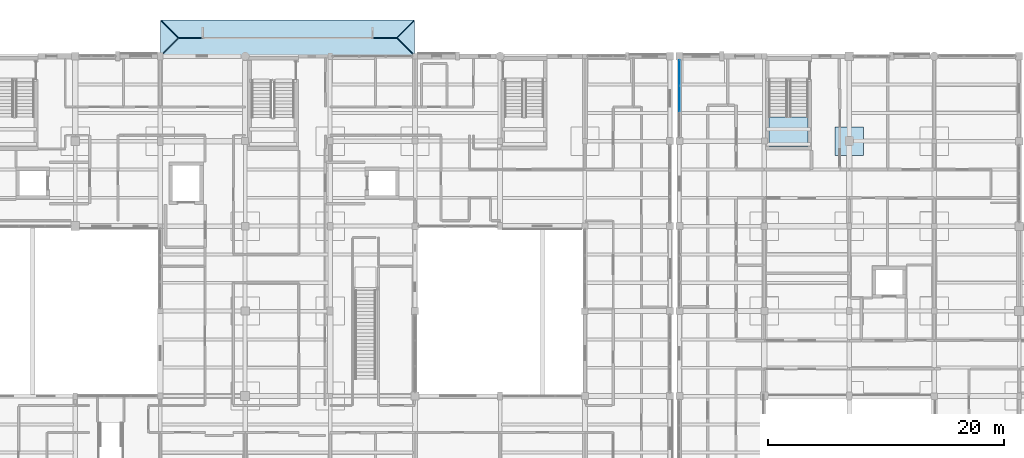
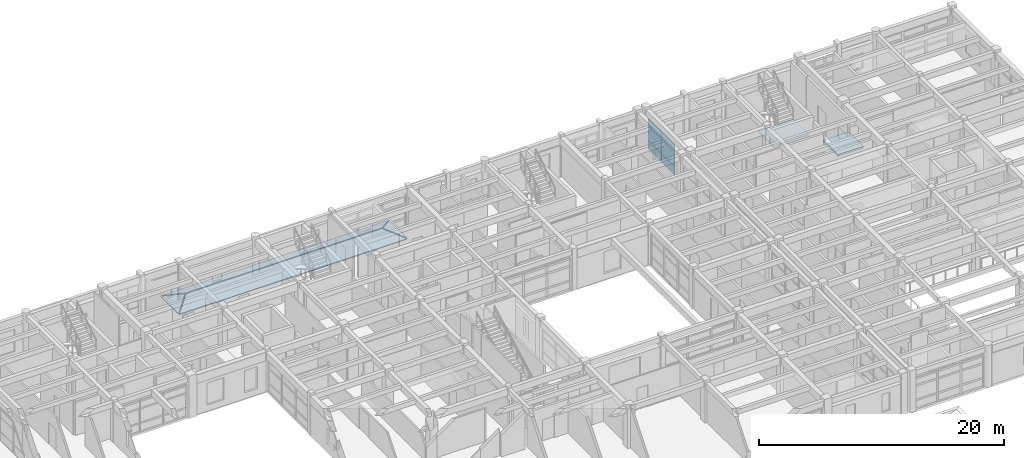
# One storey, part 68 of 110: 6 plates, 6 slabs, 3 elements without a shape of their own.
"""IFC4 building model written with IfcOpenShell, lengths in metres."""

from ifc_helpers import new_model, si_unit, direction, frame, origin, origin_2d, place, context, subcontext, project, spatial, polyline, rectangle, outline, extrude, material, layer, layer_set, type_object, element, aggregate, save


model = new_model("IFC4")

# Units and contexts
model_context = context("Model", 3, precision=1e-05, world=origin(), true_north=direction((0.0, 1.0)))
body_context = subcontext(model_context, "Body", "Model", "MODEL_VIEW")
ifc_project = project(units=[si_unit("LENGTHUNIT", "METRE"), si_unit("AREAUNIT", "SQUARE_METRE"), si_unit("VOLUMEUNIT", "CUBIC_METRE"), si_unit("PLANEANGLEUNIT", "RADIAN"), si_unit("MASSUNIT", "GRAM", prefix="KILO")], contexts=[model_context])

# Site, building, storey
site_placement = place(None, origin())
site = spatial("IfcSite", under=ifc_project, at=site_placement, CompositionType="ELEMENT")
building_placement = place(site_placement, origin())
building = spatial("IfcBuilding", under=site, at=building_placement, Name="Steenspoor Specialist Clinic", CompositionType="ELEMENT")
storey_placement = place(building_placement, frame((0.0, 0.0, 4.800048828125)))
storey = spatial("IfcBuildingStorey", under=building, at=storey_placement, Name="L01", CompositionType="ELEMENT", Elevation=4.800048828125)

# Curtain wall, plates
ifc_material_1 = material(Name="Thermally broken aluminium and low-emissivity glass", Category="aluminium")
curtain_wall_type = type_object("IfcCurtainWallType", Name="CW-TYP-650X355", PredefinedType="USERDEFINED", material=ifc_material_1)
curtain_wall_placement = place(storey_placement, origin())
curtain_wall = element("IfcCurtainWall", 1, at=curtain_wall_placement, inside=storey, type_object=curtain_wall_type, Name="Unitised Curtain Wall CW-V6-L01-178", ObjectType="UNITISED GLAZING", PredefinedType="USERDEFINED")
ifc_material_2 = material(Name="Triple acoustic laminated low-emissivity glass", Category="glass")
ifc_layer_1 = layer(ifc_material_2, 0.048095703125)
ifc_layer_set_1 = layer_set([ifc_layer_1], Name="Triple acoustic laminated low-emissivity glass")
plate_type = type_object("IfcPlateType", Name="CW-PAN-GL48", PredefinedType="CURTAIN_PANEL", material=ifc_layer_set_1)
plate_1_placement = place(storey_placement, frame((118.0, 104.75, 0.059814453125), z_axis=(0.0, 0.0, 1.0), x_axis=(0.0, 1.0, 0.0)))
plate_1 = element("IfcPlate", 2, at=plate_1_placement, type_object=plate_type, Name="CW-10 panel 2.1", PredefinedType="CURTAIN_PANEL", context=body_context, shape_type="SweptSolid", body=[
    extrude(rectangle(XDim=2.139892578125, YDim=0.048095703125, at=origin_2d()), origin(), (0.0, 0.0, 1.0), 0.81005859375),
])
plate_2_placement = place(storey_placement, frame((118.0, 104.75, 0.93017578125), z_axis=(0.0, 0.0, 1.0), x_axis=(0.0, 1.0, 0.0)))
plate_2 = element("IfcPlate", 3, at=plate_2_placement, type_object=plate_type, Name="CW-10 panel 2.2", PredefinedType="CURTAIN_PANEL", context=body_context, shape_type="SweptSolid", body=[
    extrude(rectangle(XDim=2.139892578125, YDim=0.048095703125, at=origin_2d()), origin(), (0.0, 0.0, 1.0), 1.389892578125),
])
plate_3_placement = place(storey_placement, frame((118.0, 104.75, 2.3798828125), z_axis=(0.0, 0.0, 1.0), x_axis=(0.0, 1.0, 0.0)))
plate_3 = element("IfcPlate", 4, at=plate_3_placement, type_object=plate_type, Name="CW-10 panel 2.3", PredefinedType="CURTAIN_PANEL", context=body_context, shape_type="SweptSolid", body=[
    extrude(rectangle(XDim=2.139892578125, YDim=0.048095703125, at=origin_2d()), origin(), (0.0, 0.0, 1.0), 0.68994140625),
])
plate_4_placement = place(storey_placement, frame((118.0, 106.93505859375, 0.059814453125), z_axis=(0.0, 0.0, 1.0), x_axis=(0.0, 1.0, 0.0)))
plate_4 = element("IfcPlate", 5, at=plate_4_placement, type_object=plate_type, Name="CW-10 panel 3.1", PredefinedType="CURTAIN_PANEL", context=body_context, shape_type="SweptSolid", body=[
    extrude(rectangle(XDim=2.110107421875, YDim=0.048095703125, at=origin_2d()), origin(), (0.0, 0.0, 1.0), 0.81005859375),
])
plate_5_placement = place(storey_placement, frame((118.0, 106.93505859375, 0.93017578125), z_axis=(0.0, 0.0, 1.0), x_axis=(0.0, 1.0, 0.0)))
plate_5 = element("IfcPlate", 6, at=plate_5_placement, type_object=plate_type, Name="CW-10 panel 3.2", PredefinedType="CURTAIN_PANEL", context=body_context, shape_type="SweptSolid", body=[
    extrude(rectangle(XDim=2.110107421875, YDim=0.048095703125, at=origin_2d()), origin(), (0.0, 0.0, 1.0), 1.389892578125),
])
plate_6_placement = place(storey_placement, frame((118.0, 106.93505859375, 2.3798828125), z_axis=(0.0, 0.0, 1.0), x_axis=(0.0, 1.0, 0.0)))
plate_6 = element("IfcPlate", 7, at=plate_6_placement, type_object=plate_type, Name="CW-10 panel 3.3", PredefinedType="CURTAIN_PANEL", context=body_context, shape_type="SweptSolid", body=[
    extrude(rectangle(XDim=2.110107421875, YDim=0.048095703125, at=origin_2d()), origin(), (0.0, 0.0, 1.0), 0.68994140625),
])
aggregate(curtain_wall, [plate_1, plate_2, plate_3, plate_4, plate_5, plate_6])

# Slab
ifc_material_3 = material(Name="Concrete C35/45", Category="concrete")
ifc_layer_2 = layer(ifc_material_3, 0.169921875)
ifc_layer_set_2 = layer_set([ifc_layer_2], Name="Concrete C35/45")
slab_type_1 = type_object("IfcSlabType", Name="SL-DROP-170", PredefinedType="USERDEFINED", material=ifc_layer_set_2)
slab_1_placement = place(storey_placement, frame((0.0, 0.0, -0.449951171875)))
element("IfcSlab", 8, at=slab_1_placement, inside=storey, type_object=slab_type_1, Name="Column Drop Panel DROP-V6-L01-135", ObjectType="DROP PANEL", PredefinedType="USERDEFINED", context=body_context, shape_type="SweptSolid", body=[
    extrude(outline(polyline([(133.60009765625, 99.949951171875), (133.60009765625, 102.35009765625), (131.199951171875, 102.35009765625), (131.199951171875, 99.949951171875), (133.60009765625, 99.949951171875)])), origin(), (0.0, 0.0, 1.0), 0.169921875),
])

# Stair, slab
stair_type = type_object("IfcStairType", Name="ST-CORE-TYP", PredefinedType="HALF_TURN_STAIR", material=ifc_material_3)
stair_placement = place(storey_placement, origin())
stair = element("IfcStair", 9, at=stair_placement, inside=storey, type_object=stair_type, Name="L01 Enclosed Exit Stair ST-V6A", PredefinedType="HALF_TURN_STAIR")
ifc_layer_3 = layer(ifc_material_3, 0.199951171875)
ifc_layer_set_3 = layer_set([ifc_layer_3], Name="Concrete C35/45")
slab_type_2 = type_object("IfcSlabType", Name="SL-LAND-200", PredefinedType="LANDING", material=ifc_layer_set_3)
slab_2_placement = place(storey_placement, frame((0.0, 0.0, 1.89990234375)))
slab_2 = element("IfcSlab", 10, at=slab_2_placement, type_object=slab_type_2, Name="ST-V6A landing 1", PredefinedType="LANDING", context=body_context, shape_type="SweptSolid", body=[
    extrude(outline(polyline([(125.60009765625, 103.215087890625), (125.60009765625, 100.699951171875), (128.89990234375, 100.699951171875), (128.89990234375, 103.215087890625), (125.60009765625, 103.215087890625)])), origin(), (0.0, 0.0, 1.0), 0.199951171875),
])
aggregate(stair, [slab_2])

# Roof, slabs
ifc_material_4 = material(Name="Extruded terracotta clay roof tile", Category="masonry")
roof_type = type_object("IfcRoofType", Name="ROOF-HIP-TIER", PredefinedType="HIP_ROOF", material=ifc_material_4)
roof_placement = place(storey_placement, origin())
roof = element("IfcRoof", 11, at=roof_placement, inside=storey, type_object=roof_type, Name="Tiered Hipped Roof PORCH-NORTH", PredefinedType="HIP_ROOF")
ifc_layer_4 = layer(ifc_material_3, 0.14990234375)
ifc_layer_set_4 = layer_set([ifc_layer_4], Name="Concrete C35/45")
slab_type_3 = type_object("IfcSlabType", Name="SL-ROOF-150", PredefinedType="ROOF", material=ifc_layer_set_4)
slab_3_placement = place(storey_placement, frame((75.5673828125, 109.85791015625, -0.6181640625), z_axis=(0.0, -0.393075914484, 0.919506022521), x_axis=(-0.676859570469, -0.676859570469, -0.289347963062)))
slab_3 = element("IfcSlab", 12, at=slab_3_placement, type_object=slab_type_3, Name="Hipped Roof Slab RSLAB-PORCH-NORTH-S", PredefinedType="ROOF", context=body_context, shape_type="SweptSolid", body=[
    extrude(outline(polyline([(0.0, 0.0), (2.1836543475701156, 0.0), (-12.315451016823877, 15.768363674920781), (-12.498436707247187, 13.59255556910633), (0.0, 0.0)])), origin(), (0.0, 0.0, -1.0), 0.14990234375),
])
slab_4_placement = place(storey_placement, frame((94.03271484375, 109.94189453125, -0.6181640625), z_axis=(0.0, 0.393075914484, 0.919506022521), x_axis=(0.676798981516, 0.676910793673, -0.289369860262)))
slab_4 = element("IfcSlab", 13, at=slab_4_placement, type_object=slab_type_3, Name="Hipped Roof Slab RSLAB-PORCH-NORTH-N", PredefinedType="ROOF", context=body_context, shape_type="SweptSolid", body=[
    extrude(outline(polyline([(0.0, 0.0), (2.1834891060473764, 0.0), (-12.31431837374503, 15.769556989060764), (-12.497317912111999, 13.593584223004317), (0.0, 0.0)])), origin(), (0.0, 0.0, -1.0), 0.14990234375),
])
slab_5_placement = place(storey_placement, frame((75.490478515625, 109.89990234375, -0.62548828125), z_axis=(-0.393177146536, 0.0, 0.919462740649), x_axis=(-0.676790473506, 0.676903611332, -0.289406558213)))
slab_5 = element("IfcSlab", 14, at=slab_5_placement, type_object=slab_type_3, Name="Hipped Roof Slab RSLAB-PORCH-NORTH-W", PredefinedType="ROOF", context=body_context, shape_type="SweptSolid", body=[
    extrude(outline(polyline([(0.0, 0.0), (2.1579045153865795, -2.7755575615628914e-17), (0.18057255503783357, 2.15017029100445), (0.0, 0.0)])), origin(), (0.0, 0.0, -1.0), 0.14990234375),
])
slab_6_placement = place(storey_placement, frame((94.109375, 109.89990234375, -0.62548828125), z_axis=(0.393121587543, 0.0, 0.919486496588), x_axis=(0.676903611332, -0.676790473506, -0.289406558213)))
slab_6 = element("IfcSlab", 15, at=slab_6_placement, type_object=slab_type_3, Name="Hipped Roof Slab RSLAB-PORCH-NORTH-E", PredefinedType="ROOF", context=body_context, shape_type="SweptSolid", body=[
    extrude(outline(polyline([(0.0, 0.0), (2.1579045153865795, 8.326672684688674e-17), (0.18090304675776495, 2.1504741697528673), (0.0, 0.0)])), origin(), (0.0, 0.0, -1.0), 0.14990234375),
])
aggregate(roof, [slab_3, slab_4, slab_5, slab_6])

save(model, "model.ifc")
